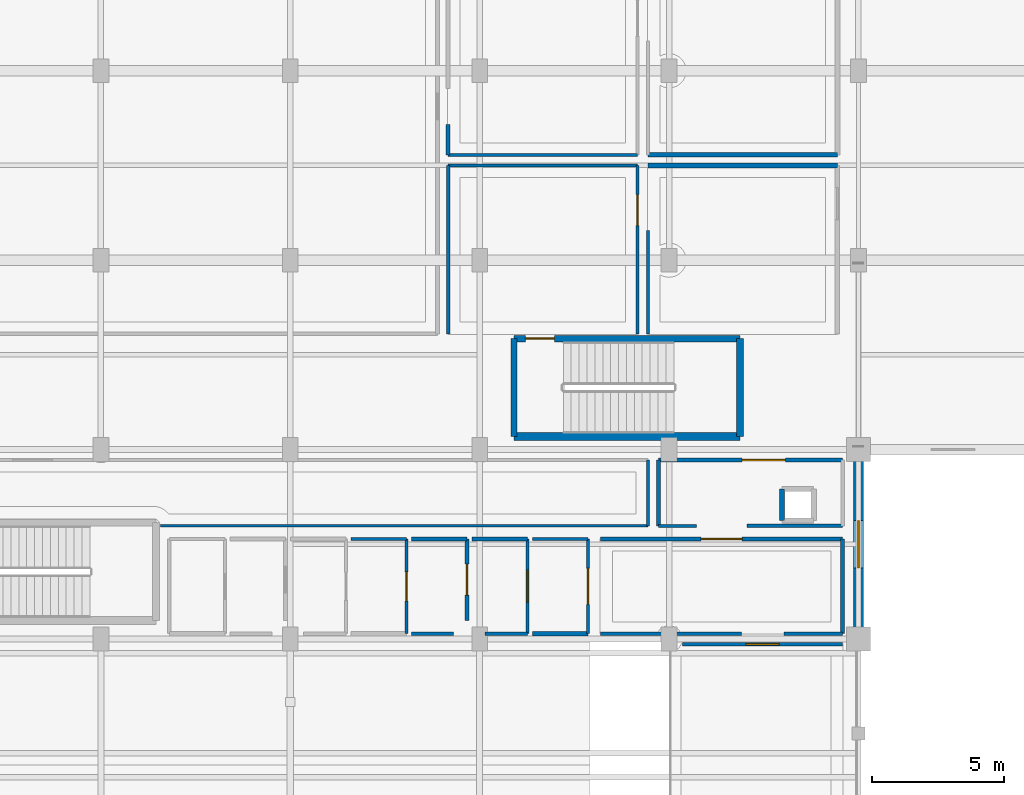
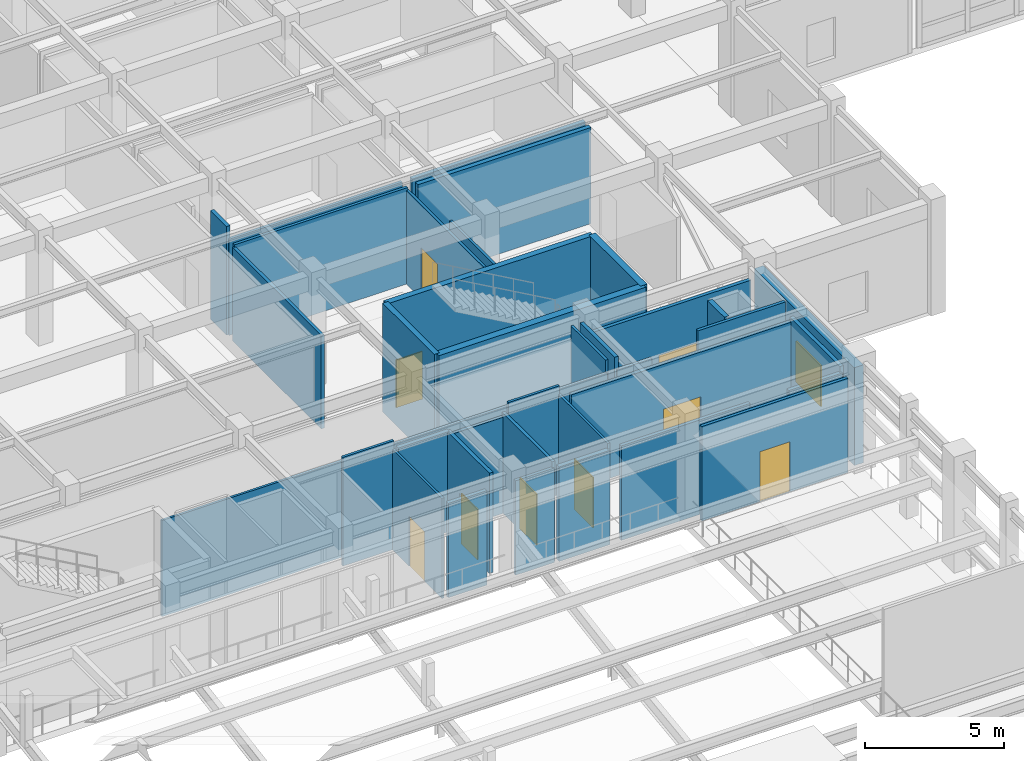
# One storey, part 87 of 117: 36 walls, 9 doors, 1 window, 10 openings.
"""IFC4 building model written with IfcOpenShell, lengths in metres."""

from ifc_helpers import new_model, si_unit, direction, frame, frame_2d, origin, place, context, subcontext, project, spatial, rectangle, extrude, material, layer, layer_set, type_object, element, fill, save


model = new_model("IFC4")

# Units and contexts
model_context = context("Model", 3, precision=1e-05, world=origin(), true_north=direction((0.0, 1.0)))
body_context = subcontext(model_context, "Body", "Model", "MODEL_VIEW")
ifc_project = project(units=[si_unit("LENGTHUNIT", "METRE"), si_unit("AREAUNIT", "SQUARE_METRE"), si_unit("VOLUMEUNIT", "CUBIC_METRE"), si_unit("PLANEANGLEUNIT", "RADIAN"), si_unit("MASSUNIT", "GRAM", prefix="KILO")], contexts=[model_context])

# Site, building, storey
site_placement = place(None, origin())
site = spatial("IfcSite", under=ifc_project, at=site_placement, CompositionType="ELEMENT")
building_placement = place(site_placement, origin())
building = spatial("IfcBuilding", under=site, at=building_placement, Name="Carrowvane Square Congress Hotel", CompositionType="ELEMENT")
storey_placement = place(building_placement, frame((0.0, 0.0, 5.39990234375)))
storey = spatial("IfcBuildingStorey", under=building, at=storey_placement, Name="L01", CompositionType="ELEMENT", Elevation=5.39990234375)

# Wall, opening, window
ifc_material_1 = material(Name="Portland limestone cladding", Category="masonry")
ifc_layer_1 = layer(ifc_material_1, 0.3798828125)
ifc_layer_set_1 = layer_set([ifc_layer_1], Name="Portland limestone cladding")
wall_type_1 = type_object("IfcWallType", Name="WL-EXT-LS380", PredefinedType="STANDARD", material=ifc_layer_set_1)
wall_1_placement = place(storey_placement, frame((62.0, 55.800048828125, 0.0), z_axis=(0.0, 0.0, 1.0), x_axis=(0.0, -1.0, 0.0)))
wall_1 = element("IfcWall", 1, at=wall_1_placement, inside=storey, type_object=wall_type_1, Name="L01 exterior facade wall 255", PredefinedType="STANDARD", context=body_context, shape_type="SweptSolid", body=[
    extrude(rectangle(XDim=7.199951171875, YDim=0.3798828125, at=frame_2d((3.60009765625, 0.0))), origin(), (0.0, 0.0, 1.0), 4.30517578125),
])
opening_1_placement = place(wall_1_placement, frame((2.699951171875, 0.0, 0.89990234375)))
opening_1 = element("IfcOpeningElement", 2, at=opening_1_placement, cuts=wall_1, Name="Opening W-05", PredefinedType="OPENING", context=body_context, shape_type="SweptSolid", body=[
    extrude(rectangle(XDim=1.800048828125, YDim=1.800048828125, at=frame_2d((0.89990234375, 0.89990234375))), frame((0.0, 0.199951171875, 0.0), z_axis=(0.0, -1.0, 0.0), x_axis=(1.0, 0.0, 0.0)), (0.0, 0.0, 1.0), 0.39990234375),
])
ifc_material_2 = material(Name="Double-glazed low-E glass", Category="glass")
window_type = type_object("IfcWindowType", Name="WIN-05", PartitioningType="SINGLE_PANEL", PredefinedType="WINDOW", material=ifc_material_2)
window_placement = place(opening_1_placement, origin())
window = element("IfcWindow", 3, at=window_placement, inside=storey, type_object=window_type, Name="L01 facade window 78", OverallHeight=1.800048828125, OverallWidth=1.800048828125, PartitioningType="SINGLE_PANEL", PredefinedType="WINDOW", context=body_context, shape_type="SweptSolid", body=[
    extrude(rectangle(XDim=1.800048828125, YDim=1.800048828125, at=frame_2d((0.89990234375, 0.89990234375))), frame((0.0, 0.030029296875, 0.0), z_axis=(0.0, -1.0, 0.0), x_axis=(1.0, 0.0, 0.0)), (0.0, 0.0, 1.0), 0.06005859375),
])
fill(opening_1, window)

# Wall, opening, door
ifc_material_3 = material(Name="Acoustic gypsum board", Category="gypsum")
ifc_layer_2 = layer(ifc_material_3, 0.155029296875)
ifc_layer_set_2 = layer_set([ifc_layer_2], Name="Acoustic gypsum board")
wall_type_2 = type_object("IfcWallType", Name="WL-FIR-155", PredefinedType="PARTITIONING", material=ifc_layer_set_2)
wall_2_placement = place(storey_placement, frame((47.1201171875, 52.39990234375, 0.0), z_axis=(0.0, 0.0, 1.0), x_axis=(0.0, -1.0, 0.0)))
wall_2 = element("IfcWall", 4, at=wall_2_placement, inside=storey, type_object=wall_type_2, Name="L01 Interpretation Booth 5 partition", PredefinedType="PARTITIONING", context=body_context, shape_type="SweptSolid", body=[
    extrude(rectangle(XDim=3.08984375, YDim=0.155029296875, at=frame_2d((1.544921875, 0.0))), origin(), (0.0, 0.0, 1.0), 4.406982421875),
])
opening_2_placement = place(wall_2_placement, frame((0.955078125, 0.0, 0.0)))
opening_2 = element("IfcOpeningElement", 5, at=opening_2_placement, cuts=wall_2, Name="Opening ID-23", PredefinedType="OPENING", context=body_context, shape_type="SweptSolid", body=[
    extrude(rectangle(XDim=1.179931640625, YDim=2.219970703125, at=frame_2d((0.58984375, 1.10986328125))), frame((0.0, 0.08740234375, 0.0), z_axis=(0.0, -1.0, 0.0), x_axis=(1.0, 0.0, 0.0)), (0.0, 0.0, 1.0), 0.175048828125),
])
ifc_material_4 = material(Name="European oak timber", Category="wood")
door_type_1 = type_object("IfcDoorType", Name="DR-INT-1180x2220", OperationType="NOTDEFINED", PredefinedType="DOOR", material=ifc_material_4)
door_1_placement = place(opening_2_placement, origin())
door_1 = element("IfcDoor", 6, at=door_1_placement, inside=storey, type_object=door_type_1, Name="L01 Interpretation Booth 5 entrance door", OperationType="SINGLE_SWING_RIGHT", OverallHeight=2.219970703125, OverallWidth=1.179931640625, PredefinedType="DOOR", context=body_context, shape_type="SweptSolid", body=[
    extrude(rectangle(XDim=1.179931640625, YDim=2.219970703125, at=frame_2d((0.58984375, 1.10986328125))), frame((0.0, 0.02490234375, 0.0), z_axis=(0.0, -1.0, 0.0), x_axis=(1.0, 0.0, 0.0)), (0.0, 0.0, 1.0), 0.050048828125),
])
fill(opening_2, door_1)

# Walls
wall_3_placement = place(storey_placement, frame((61.39990234375, 52.39990234375, 0.0), z_axis=(0.0, 0.0, 1.0), x_axis=(0.0, -1.0, 0.0)))
element("IfcWall", 7, at=wall_3_placement, inside=storey, type_object=wall_type_2, Name="L01 AV and Broadcast Control Room partition", PredefinedType="PARTITIONING", context=body_context, shape_type="SweptSolid", body=[
    extrude(rectangle(XDim=3.599853515625, YDim=0.155029296875, at=frame_2d((1.7998046875, 0.0))), origin(), (0.0, 0.0, 1.0), 4.406982421875),
])
wall_4_placement = place(storey_placement, frame((54.39990234375, 52.89990234375, 0.0), z_axis=(0.0, 0.0, 1.0), x_axis=(0.0, 1.0, 0.0)))
element("IfcWall", 8, at=wall_4_placement, inside=storey, type_object=wall_type_2, Name="L01 Circle Accessible WC partition", PredefinedType="PARTITIONING", context=body_context, shape_type="SweptSolid", body=[
    extrude(rectangle(XDim=2.5, YDim=0.155029296875, at=frame_2d((1.25, 0.0))), origin(), (0.0, 0.0, 1.0), 4.780029296875),
])
wall_5_placement = place(storey_placement, frame((46.39990234375, 67.0, 0.0), z_axis=(0.0, 0.0, 1.0), x_axis=(0.0, 1.0, 0.0)))
element("IfcWall", 9, at=wall_5_placement, inside=storey, type_object=wall_type_2, Name="L01 Thermal Treatment Suite 103 partition", PredefinedType="PARTITIONING", context=body_context, shape_type="SweptSolid", body=[
    extrude(rectangle(XDim=1.1650390625, YDim=0.155029296875, at=frame_2d((0.58251953125, 0.0))), origin(), (0.0, 0.0, 1.0), 4.780029296875),
])
ifc_material_5 = material(Name="Acoustic gypsum board", Category="gypsum")
ifc_layer_3 = layer(ifc_material_5, 0.169921875)
ifc_layer_set_3 = layer_set([ifc_layer_3], Name="Acoustic gypsum board")
wall_type_3 = type_object("IfcWallType", Name="WL-FIR-170", PredefinedType="PARTITIONING", material=ifc_layer_set_3)
wall_6_placement = place(storey_placement, frame((45.0, 52.39990234375, 0.0), z_axis=(0.0, 0.0, 1.0), x_axis=(1.0, 0.0, 0.0)))
element("IfcWall", 10, at=wall_6_placement, inside=storey, type_object=wall_type_3, Name="L01 Interpretation Booth 5 partition", PredefinedType="PARTITIONING", context=body_context, shape_type="SweptSolid", body=[
    extrude(rectangle(XDim=2.1201171875, YDim=0.169921875, at=frame_2d((1.06005859375, 0.0))), origin(), (0.0, 0.0, 1.0), 4.406982421875),
])

# Wall, opening, door
wall_7_placement = place(storey_placement, frame((52.199951171875, 52.39990234375, 0.0), z_axis=(0.0, 0.0, 1.0), x_axis=(1.0, 0.0, 0.0)))
wall_7 = element("IfcWall", 11, at=wall_7_placement, inside=storey, type_object=wall_type_3, Name="L01 AV and Broadcast Control Room partition", PredefinedType="PARTITIONING", context=body_context, shape_type="SweptSolid", body=[
    extrude(rectangle(XDim=9.199951171875, YDim=0.169921875, at=frame_2d((4.60009765625, 0.0))), origin(), (0.0, 0.0, 1.0), 4.228515625),
])
opening_3_placement = place(wall_7_placement, frame((3.820068359375, 0.0, 0.0)))
opening_3 = element("IfcOpeningElement", 12, at=opening_3_placement, cuts=wall_7, Name="Opening ID-26", PredefinedType="OPENING", context=body_context, shape_type="SweptSolid", body=[
    extrude(rectangle(XDim=1.56005859375, YDim=2.260009765625, at=frame_2d((0.780029296875, 1.1298828125))), frame((0.0, 0.094970703125, 0.0), z_axis=(0.0, -1.0, 0.0), x_axis=(1.0, 0.0, 0.0)), (0.0, 0.0, 1.0), 0.18994140625),
])
ifc_material_6 = material(Name="European oak timber", Category="wood")
door_type_2 = type_object("IfcDoorType", Name="DR-INT-1560x2260", OperationType="DOUBLE_DOOR_SINGLE_SWING", PredefinedType="DOOR", material=ifc_material_6)
door_2_placement = place(opening_3_placement, origin())
door_2 = element("IfcDoor", 13, at=door_2_placement, inside=storey, type_object=door_type_2, Name="L01 AV and Broadcast Control Room entrance door", OperationType="DOUBLE_DOOR_SINGLE_SWING", OverallHeight=2.260009765625, OverallWidth=1.56005859375, PredefinedType="DOOR", context=body_context, shape_type="SweptSolid", body=[
    extrude(rectangle(XDim=1.56005859375, YDim=2.260009765625, at=frame_2d((0.780029296875, 1.1298828125))), frame((0.0, 0.02490234375, 0.0), z_axis=(0.0, -1.0, 0.0), x_axis=(1.0, 0.0, 0.0)), (0.0, 0.0, 1.0), 0.050048828125),
])
fill(opening_3, door_2)

# Walls
wall_8_placement = place(storey_placement, frame((61.199951171875, 67.0, 0.0), z_axis=(0.0, 0.0, 1.0), x_axis=(-1.0, 0.0, 0.0)))
element("IfcWall", 14, at=wall_8_placement, inside=storey, type_object=wall_type_3, Name="L01 Thermal Treatment Suite 104 partition", PredefinedType="PARTITIONING", context=body_context, shape_type="SweptSolid", body=[
    extrude(rectangle(XDim=7.199951171875, YDim=0.169921875, at=frame_2d((3.60009765625, 0.0))), origin(), (0.0, 0.0, 1.0), 4.228515625),
])
ifc_material_7 = material(Name="Acoustic gypsum board", Category="gypsum")
ifc_layer_4 = layer(ifc_material_7, 0.18505859375)
ifc_layer_set_4 = layer_set([ifc_layer_4], Name="Acoustic gypsum board")
wall_type_4 = type_object("IfcWallType", Name="WL-FIR-185", PredefinedType="PARTITIONING", material=ifc_layer_set_4)
wall_9_placement = place(storey_placement, frame((51.719970703125, 48.800048828125, 0.0), z_axis=(0.0, 0.0, 1.0), x_axis=(-1.0, 0.0, 0.0)))
element("IfcWall", 15, at=wall_9_placement, inside=storey, type_object=wall_type_4, Name="L01 Interpretation Booth 7 partition", PredefinedType="PARTITIONING", context=body_context, shape_type="SweptSolid", body=[
    extrude(rectangle(XDim=2.119873046875, YDim=0.18505859375, at=frame_2d((1.06005859375, 0.0))), origin(), (0.0, 0.0, 1.0), 4.15283203125),
])
wall_10_placement = place(storey_placement, frame((54.0, 66.60009765625, 0.0), z_axis=(0.0, 0.0, 1.0), x_axis=(1.0, 0.0, 0.0)))
element("IfcWall", 16, at=wall_10_placement, inside=storey, type_object=wall_type_4, Name="L01 Thermal Treatment Suite 102 partition", PredefinedType="PARTITIONING", context=body_context, shape_type="SweptSolid", body=[
    extrude(rectangle(XDim=7.199951171875, YDim=0.18505859375, at=frame_2d((3.60009765625, 0.0))), origin(), (0.0, 0.0, 1.0), 4.228515625),
])
ifc_material_8 = material(Name="Standing-seam zinc cladding", Category="metal")
ifc_layer_5 = layer(ifc_material_8, 0.195068359375)
ifc_layer_set_5 = layer_set([ifc_layer_5], Name="Standing-seam zinc cladding")
wall_type_5 = type_object("IfcWallType", Name="WL-PAR-195", PredefinedType="PARAPET", material=ifc_layer_set_5)
wall_11_placement = place(storey_placement, frame((59.10009765625, 54.300048828125, 0.0), z_axis=(0.0, 0.0, 1.0), x_axis=(0.0, -1.0, 0.0)))
element("IfcWall", 17, at=wall_11_placement, inside=storey, type_object=wall_type_5, Name="L01 service riser RSR-V1 enclosure W", PredefinedType="PARAPET", context=body_context, shape_type="SweptSolid", body=[
    extrude(rectangle(XDim=1.199951171875, YDim=0.195068359375, at=frame_2d((0.60009765625, 0.0))), origin(), (0.0, 0.0, 1.0), 4.780029296875),
])

# Wall, opening, door
ifc_material_9 = material(Name="Acoustic gypsum board", Category="gypsum")
ifc_layer_6 = layer(ifc_material_9, 0.097900390625)
ifc_layer_set_6 = layer_set([ifc_layer_6], Name="Acoustic gypsum board")
wall_type_6 = type_object("IfcWallType", Name="WL-PRT-098", PredefinedType="PARTITIONING", material=ifc_layer_set_6)
wall_12_placement = place(storey_placement, frame((44.820068359375, 52.39990234375, 0.0), z_axis=(0.0, 0.0, 1.0), x_axis=(0.0, -1.0, 0.0)))
wall_12 = element("IfcWall", 18, at=wall_12_placement, inside=storey, type_object=wall_type_6, Name="L01 Interpretation Booth 4 partition", PredefinedType="PARTITIONING", context=body_context, shape_type="SweptSolid", body=[
    extrude(rectangle(XDim=3.599853515625, YDim=0.097900390625, at=frame_2d((1.7998046875, 0.0))), origin(), (0.0, 0.0, 1.0), 4.406982421875),
])
opening_4_placement = place(wall_12_placement, frame((1.25, 0.0, 0.0)))
opening_4 = element("IfcOpeningElement", 19, at=opening_4_placement, cuts=wall_12, Name="Opening ID-22", PredefinedType="OPENING", context=body_context, shape_type="SweptSolid", body=[
    extrude(rectangle(XDim=1.10009765625, YDim=2.179931640625, at=frame_2d((0.550048828125, 1.08984375))), frame((0.0, 0.058837890625, 0.0), z_axis=(0.0, -1.0, 0.0), x_axis=(1.0, 0.0, 0.0)), (0.0, 0.0, 1.0), 0.117919921875),
])
ifc_material_10 = material(Name="European oak timber", Category="wood")
door_type_3 = type_object("IfcDoorType", Name="DR-INT-1100x2180", OperationType="NOTDEFINED", PredefinedType="DOOR", material=ifc_material_10)
door_3_placement = place(opening_4_placement, origin())
door_3 = element("IfcDoor", 20, at=door_3_placement, inside=storey, type_object=door_type_3, Name="L01 Interpretation Booth 4 entrance door", OperationType="SINGLE_SWING_LEFT", OverallHeight=2.179931640625, OverallWidth=1.10009765625, PredefinedType="DOOR", context=body_context, shape_type="SweptSolid", body=[
    extrude(rectangle(XDim=1.10009765625, YDim=2.179931640625, at=frame_2d((0.550048828125, 1.08984375))), frame((0.0, 0.02490234375, 0.0), z_axis=(0.0, -1.0, 0.0), x_axis=(1.0, 0.0, 0.0)), (0.0, 0.0, 1.0), 0.050048828125),
])
fill(opening_4, door_3)

wall_13_placement = place(storey_placement, frame((51.719970703125, 52.39990234375, 0.0), z_axis=(0.0, 0.0, 1.0), x_axis=(0.0, -1.0, 0.0)))
wall_13 = element("IfcWall", 21, at=wall_13_placement, inside=storey, type_object=wall_type_6, Name="L01 Interpretation Booth 7 partition", PredefinedType="PARTITIONING", context=body_context, shape_type="SweptSolid", body=[
    extrude(rectangle(XDim=3.599853515625, YDim=0.097900390625, at=frame_2d((1.7998046875, 0.0))), origin(), (0.0, 0.0, 1.0), 4.406982421875),
])
opening_5_placement = place(wall_13_placement, frame((1.1201171875, 0.0, 0.0)))
opening_5 = element("IfcOpeningElement", 22, at=opening_5_placement, cuts=wall_13, Name="Opening ID-25", PredefinedType="OPENING", context=body_context, shape_type="SweptSolid", body=[
    extrude(rectangle(XDim=1.360107421875, YDim=2.219970703125, at=frame_2d((0.68017578125, 1.10986328125))), frame((0.0, 0.058837890625, 0.0), z_axis=(0.0, -1.0, 0.0), x_axis=(1.0, 0.0, 0.0)), (0.0, 0.0, 1.0), 0.117919921875),
])
ifc_material_11 = material(Name="European oak timber", Category="wood")
door_type_4 = type_object("IfcDoorType", Name="DR-INT-1360x2220", OperationType="DOUBLE_DOOR_SINGLE_SWING", PredefinedType="DOOR", material=ifc_material_11)
door_4_placement = place(opening_5_placement, origin())
door_4 = element("IfcDoor", 23, at=door_4_placement, inside=storey, type_object=door_type_4, Name="L01 Interpretation Booth 7 entrance door", OperationType="DOUBLE_DOOR_SINGLE_SWING", OverallHeight=2.219970703125, OverallWidth=1.360107421875, PredefinedType="DOOR", context=body_context, shape_type="SweptSolid", body=[
    extrude(rectangle(XDim=1.360107421875, YDim=2.219970703125, at=frame_2d((0.68017578125, 1.10986328125))), frame((0.0, 0.02490234375, 0.0), z_axis=(0.0, -1.0, 0.0), x_axis=(1.0, 0.0, 0.0)), (0.0, 0.0, 1.0), 0.050048828125),
])
fill(opening_5, door_4)

# Walls
wall_14_placement = place(storey_placement, frame((54.0, 52.89990234375, 0.0), z_axis=(0.0, 0.0, 1.0), x_axis=(-1.0, 0.0, 0.0)))
element("IfcWall", 24, at=wall_14_placement, inside=storey, type_object=wall_type_6, Name="L01 Upper Congress Circle Foyer partition", PredefinedType="PARTITIONING", context=body_context, shape_type="SweptSolid", body=[
    extrude(rectangle(XDim=18.530029296875, YDim=0.097900390625, at=frame_2d((9.26513671875, 0.0))), origin(), (0.0, 0.0, 1.0), 4.228515625),
])
wall_15_placement = place(storey_placement, frame((54.0, 60.199951171875, 0.0), z_axis=(0.0, 0.0, 1.0), x_axis=(0.0, 1.0, 0.0)))
element("IfcWall", 25, at=wall_15_placement, inside=storey, type_object=wall_type_6, Name="L01 Thermal Treatment Suite 102 partition", PredefinedType="PARTITIONING", context=body_context, shape_type="SweptSolid", body=[
    extrude(rectangle(XDim=3.929931640625, YDim=0.097900390625, at=frame_2d((1.96484375, 0.0))), origin(), (0.0, 0.0, 1.0), 4.114990234375),
])
ifc_material_12 = material(Name="Acoustic gypsum board", Category="gypsum")
ifc_layer_7 = layer(ifc_material_12, 0.10791015625)
ifc_layer_set_7 = layer_set([ifc_layer_7], Name="Acoustic gypsum board")
wall_type_7 = type_object("IfcWallType", Name="WL-PRT-108", PredefinedType="PARTITIONING", material=ifc_layer_set_7)
wall_16_placement = place(storey_placement, frame((42.699951171875, 52.39990234375, 0.0), z_axis=(0.0, 0.0, 1.0), x_axis=(1.0, 0.0, 0.0)))
element("IfcWall", 26, at=wall_16_placement, inside=storey, type_object=wall_type_7, Name="L01 Interpretation Booth 4 partition", PredefinedType="PARTITIONING", context=body_context, shape_type="SweptSolid", body=[
    extrude(rectangle(XDim=2.1201171875, YDim=0.10791015625, at=frame_2d((1.06005859375, 0.0))), origin(), (0.0, 0.0, 1.0), 4.780029296875),
])
wall_17_placement = place(storey_placement, frame((49.60009765625, 52.39990234375, 0.0), z_axis=(0.0, 0.0, 1.0), x_axis=(1.0, 0.0, 0.0)))
element("IfcWall", 27, at=wall_17_placement, inside=storey, type_object=wall_type_7, Name="L01 Interpretation Booth 7 partition", PredefinedType="PARTITIONING", context=body_context, shape_type="SweptSolid", body=[
    extrude(rectangle(XDim=2.119873046875, YDim=0.10791015625, at=frame_2d((1.06005859375, 0.0))), origin(), (0.0, 0.0, 1.0), 4.780029296875),
])
wall_18_placement = place(storey_placement, frame((54.0, 55.39990234375, 0.0), z_axis=(0.0, 0.0, 1.0), x_axis=(0.0, -1.0, 0.0)))
element("IfcWall", 28, at=wall_18_placement, inside=storey, type_object=wall_type_7, Name="L01 Upper Congress Circle Foyer partition", PredefinedType="PARTITIONING", context=body_context, shape_type="SweptSolid", body=[
    extrude(rectangle(XDim=2.5, YDim=0.10791015625, at=frame_2d((1.25, 0.0))), origin(), (0.0, 0.0, 1.0), 4.780029296875),
])

# Wall, opening, door
wall_19_placement = place(storey_placement, frame((53.60009765625, 66.60009765625, 0.0), z_axis=(0.0, 0.0, 1.0), x_axis=(0.0, -1.0, 0.0)))
wall_19 = element("IfcWall", 29, at=wall_19_placement, inside=storey, type_object=wall_type_7, Name="L01 Thermal Treatment Suite 101 partition", PredefinedType="PARTITIONING", context=body_context, shape_type="SweptSolid", body=[
    extrude(rectangle(XDim=6.400146484375, YDim=0.10791015625, at=frame_2d((3.2001953125, 0.0))), origin(), (0.0, 0.0, 1.0), 4.114990234375),
])
opening_6_placement = place(wall_19_placement, frame((1.110107421875, 0.0, 0.0)))
opening_6 = element("IfcOpeningElement", 30, at=opening_6_placement, cuts=wall_19, Name="Opening ID-23", PredefinedType="OPENING", context=body_context, shape_type="SweptSolid", body=[
    extrude(rectangle(XDim=1.179931640625, YDim=2.219970703125, at=frame_2d((0.58984375, 1.10986328125))), frame((0.0, 0.06396484375, 0.0), z_axis=(0.0, -1.0, 0.0), x_axis=(1.0, 0.0, 0.0)), (0.0, 0.0, 1.0), 0.1279296875),
])
door_5_placement = place(opening_6_placement, origin())
door_5 = element("IfcDoor", 31, at=door_5_placement, inside=storey, type_object=door_type_1, Name="L01 Thermal Treatment Suite 101 entrance door", OperationType="SINGLE_SWING_RIGHT", OverallHeight=2.219970703125, OverallWidth=1.179931640625, PredefinedType="DOOR", context=body_context, shape_type="SweptSolid", body=[
    extrude(rectangle(XDim=1.179931640625, YDim=2.219970703125, at=frame_2d((0.58984375, 1.10986328125))), frame((0.0, 0.02490234375, 0.0), z_axis=(0.0, -1.0, 0.0), x_axis=(1.0, 0.0, 0.0)), (0.0, 0.0, 1.0), 0.050048828125),
])
fill(opening_6, door_5)

# Walls
ifc_material_13 = material(Name="Acoustic gypsum board", Category="gypsum")
ifc_layer_8 = layer(ifc_material_13, 0.117919921875)
ifc_layer_set_8 = layer_set([ifc_layer_8], Name="Acoustic gypsum board")
wall_type_8 = type_object("IfcWallType", Name="WL-PRT-118", PredefinedType="PARTITIONING", material=ifc_layer_set_8)
wall_20_placement = place(storey_placement, frame((49.419921875, 48.800048828125, 0.0), z_axis=(0.0, 0.0, 1.0), x_axis=(-1.0, 0.0, 0.0)))
element("IfcWall", 32, at=wall_20_placement, inside=storey, type_object=wall_type_8, Name="L01 Interpretation Booth 6 partition", PredefinedType="PARTITIONING", context=body_context, shape_type="SweptSolid", body=[
    extrude(rectangle(XDim=1.60986328125, YDim=0.117919921875, at=frame_2d((0.804931640625, 0.0))), origin(), (0.0, 0.0, 1.0), 4.15283203125),
])
wall_21_placement = place(storey_placement, frame((55.840087890625, 52.89990234375, 0.0), z_axis=(0.0, 0.0, 1.0), x_axis=(-1.0, 0.0, 0.0)))
element("IfcWall", 33, at=wall_21_placement, inside=storey, type_object=wall_type_8, Name="L01 Circle Accessible WC partition", PredefinedType="PARTITIONING", context=body_context, shape_type="SweptSolid", body=[
    extrude(rectangle(XDim=1.440185546875, YDim=0.117919921875, at=frame_2d((0.72021484375, 0.0))), origin(), (0.0, 0.0, 1.0), 4.228515625),
])
for number, where, z_axis, x_axis, name in (
    (34, (46.39990234375, 66.60009765625, 0.0), (0.0, 0.0, 1.0), (1.0, 0.0, 0.0), "L01 Thermal Treatment Suite 101 partition"),
    (35, (53.60009765625, 67.0, 0.0), (0.0, 0.0, 1.0), (-1.0, 0.0, 0.0), "L01 Thermal Treatment Suite 103 partition"),
):
    element("IfcWall", number, at=place(storey_placement, frame(where, z_axis=z_axis, x_axis=x_axis)), inside=storey, type_object=wall_type_8, Name=name, PredefinedType="PARTITIONING", context=body_context, shape_type="SweptSolid", body=[
        extrude(rectangle(XDim=7.2001953125, YDim=0.117919921875, at=frame_2d((3.60009765625, 0.0))), origin(), (0.0, 0.0, 1.0), 4.228515625),
    ])

# Wall, opening, door
ifc_material_14 = material(Name="Acoustic gypsum board", Category="gypsum")
ifc_layer_9 = layer(ifc_material_14, 0.1279296875)
ifc_layer_set_9 = layer_set([ifc_layer_9], Name="Acoustic gypsum board")
wall_type_9 = type_object("IfcWallType", Name="WL-PRT-128", PredefinedType="PARTITIONING", material=ifc_layer_set_9)
wall_22_placement = place(storey_placement, frame((55.320068359375, 48.39990234375, 0.0), z_axis=(0.0, 0.0, 1.0), x_axis=(1.0, 0.0, 0.0)))
wall_22 = element("IfcWall", 36, at=wall_22_placement, inside=storey, type_object=wall_type_9, Name="L01 Plenary Congress Upper Circle Seating partition", PredefinedType="PARTITIONING", context=body_context, shape_type="SweptSolid", body=[
    extrude(rectangle(XDim=6.079833984375, YDim=0.1279296875, at=frame_2d((3.0400390625, 0.0))), origin(), (0.0, 0.0, 1.0), 4.15283203125),
])
opening_7_placement = place(wall_22_placement, frame((2.4150390625, 0.0, 0.0)))
opening_7 = element("IfcOpeningElement", 37, at=opening_7_placement, cuts=wall_22, Name="Opening ID-10", PredefinedType="OPENING", context=body_context, shape_type="SweptSolid", body=[
    extrude(rectangle(XDim=1.25, YDim=2.199951171875, at=frame_2d((0.625, 1.10009765625))), frame((0.0, 0.073974609375, 0.0), z_axis=(0.0, -1.0, 0.0), x_axis=(1.0, 0.0, 0.0)), (0.0, 0.0, 1.0), 0.14794921875),
])
ifc_material_15 = material(Name="European oak timber", Category="wood")
door_type_5 = type_object("IfcDoorType", Name="DR-INT-1250x2200", OperationType="NOTDEFINED", PredefinedType="DOOR", material=ifc_material_15)
door_6_placement = place(opening_7_placement, origin())
door_6 = element("IfcDoor", 38, at=door_6_placement, inside=storey, type_object=door_type_5, Name="L01 Plenary Congress Upper Circle Seating entrance door", OperationType="SINGLE_SWING_LEFT", OverallHeight=2.199951171875, OverallWidth=1.25, PredefinedType="DOOR", context=body_context, shape_type="SweptSolid", body=[
    extrude(rectangle(XDim=1.25, YDim=2.199951171875, at=frame_2d((0.625, 1.10009765625))), frame((0.0, 0.02490234375, 0.0), z_axis=(0.0, -1.0, 0.0), x_axis=(1.0, 0.0, 0.0)), (0.0, 0.0, 1.0), 0.050048828125),
])
fill(opening_7, door_6)

wall_23_placement = place(storey_placement, frame((49.419921875, 52.39990234375, 0.0), z_axis=(0.0, 0.0, 1.0), x_axis=(0.0, -1.0, 0.0)))
wall_23 = element("IfcWall", 39, at=wall_23_placement, inside=storey, type_object=wall_type_9, Name="L01 Interpretation Booth 6 partition", PredefinedType="PARTITIONING", context=body_context, shape_type="SweptSolid", body=[
    extrude(rectangle(XDim=3.599853515625, YDim=0.1279296875, at=frame_2d((1.7998046875, 0.0))), origin(), (0.0, 0.0, 1.0), 4.406982421875),
])
opening_8_placement = place(wall_23_placement, frame((1.18994140625, 0.0, 0.0)))
opening_8 = element("IfcOpeningElement", 40, at=opening_8_placement, cuts=wall_23, Name="Opening ID-24", PredefinedType="OPENING", context=body_context, shape_type="SweptSolid", body=[
    extrude(rectangle(XDim=1.219970703125, YDim=2.239990234375, at=frame_2d((0.60986328125, 1.1201171875))), frame((0.0, 0.073974609375, 0.0), z_axis=(0.0, -1.0, 0.0), x_axis=(1.0, 0.0, 0.0)), (0.0, 0.0, 1.0), 0.14794921875),
])
ifc_material_16 = material(Name="European oak timber", Category="wood")
door_type_6 = type_object("IfcDoorType", Name="DR-INT-1220x2240", OperationType="NOTDEFINED", PredefinedType="DOOR", material=ifc_material_16)
door_7_placement = place(opening_8_placement, origin())
door_7 = element("IfcDoor", 41, at=door_7_placement, inside=storey, type_object=door_type_6, Name="L01 Interpretation Booth 6 entrance door", OperationType="SINGLE_SWING_LEFT", OverallHeight=2.239990234375, OverallWidth=1.219970703125, PredefinedType="DOOR", context=body_context, shape_type="SweptSolid", body=[
    extrude(rectangle(XDim=1.219970703125, YDim=2.239990234375, at=frame_2d((0.60986328125, 1.1201171875))), frame((0.0, 0.02490234375, 0.0), z_axis=(0.0, -1.0, 0.0), x_axis=(1.0, 0.0, 0.0)), (0.0, 0.0, 1.0), 0.050048828125),
])
fill(opening_8, door_7)

# Walls
wall_24_placement = place(storey_placement, frame((61.39990234375, 52.89990234375, 0.0), z_axis=(0.0, 0.0, 1.0), x_axis=(-1.0, 0.0, 0.0)))
element("IfcWall", 42, at=wall_24_placement, inside=storey, type_object=wall_type_9, Name="L01 Circle Accessible WC partition", PredefinedType="PARTITIONING", context=body_context, shape_type="SweptSolid", body=[
    extrude(rectangle(XDim=3.639892578125, YDim=0.1279296875, at=frame_2d((1.81982421875, 0.0))), origin(), (0.0, 0.0, 1.0), 4.780029296875),
])
wall_25_placement = place(storey_placement, frame((46.39990234375, 60.199951171875, 0.0), z_axis=(0.0, 0.0, 1.0), x_axis=(0.0, 1.0, 0.0)))
element("IfcWall", 43, at=wall_25_placement, inside=storey, type_object=wall_type_9, Name="L01 Thermal Treatment Suite 101 partition", PredefinedType="PARTITIONING", context=body_context, shape_type="SweptSolid", body=[
    extrude(rectangle(XDim=6.400146484375, YDim=0.1279296875, at=frame_2d((3.2001953125, 0.0))), origin(), (0.0, 0.0, 1.0), 4.114990234375),
])
ifc_material_17 = material(Name="Acoustic gypsum board", Category="gypsum")
ifc_layer_10 = layer(ifc_material_17, 0.137939453125)
ifc_layer_set_10 = layer_set([ifc_layer_10], Name="Acoustic gypsum board")
wall_type_10 = type_object("IfcWallType", Name="WL-PRT-138", PredefinedType="PARTITIONING", material=ifc_layer_set_10)
wall_26_placement = place(storey_placement, frame((47.300048828125, 52.39990234375, 0.0), z_axis=(0.0, 0.0, 1.0), x_axis=(1.0, 0.0, 0.0)))
element("IfcWall", 44, at=wall_26_placement, inside=storey, type_object=wall_type_10, Name="L01 Interpretation Booth 6 partition", PredefinedType="PARTITIONING", context=body_context, shape_type="SweptSolid", body=[
    extrude(rectangle(XDim=2.119873046875, YDim=0.137939453125, at=frame_2d((1.06005859375, 0.0))), origin(), (0.0, 0.0, 1.0), 4.228515625),
])
wall_27_placement = place(storey_placement, frame((57.554931640625, 48.800048828125, 0.0), z_axis=(0.0, 0.0, 1.0), x_axis=(-1.0, 0.0, 0.0)))
element("IfcWall", 45, at=wall_27_placement, inside=storey, type_object=wall_type_10, Name="L01 AV and Broadcast Control Room partition", PredefinedType="PARTITIONING", context=body_context, shape_type="SweptSolid", body=[
    extrude(rectangle(XDim=5.35498046875, YDim=0.137939453125, at=frame_2d((2.677490234375, 0.0))), origin(), (0.0, 0.0, 1.0), 4.15283203125),
])
ifc_material_18 = material(Name="Acoustic gypsum board", Category="gypsum")
ifc_layer_11 = layer(ifc_material_18, 0.14794921875)
ifc_layer_set_11 = layer_set([ifc_layer_11], Name="Acoustic gypsum board")
wall_type_11 = type_object("IfcWallType", Name="WL-PRT-148", PredefinedType="PARTITIONING", material=ifc_layer_set_11)
wall_28_placement = place(storey_placement, frame((46.610107421875, 48.800048828125, 0.0), z_axis=(0.0, 0.0, 1.0), x_axis=(-1.0, 0.0, 0.0)))
element("IfcWall", 46, at=wall_28_placement, inside=storey, type_object=wall_type_11, Name="L01 Interpretation Booth 5 partition", PredefinedType="PARTITIONING", context=body_context, shape_type="SweptSolid", body=[
    extrude(rectangle(XDim=1.610107421875, YDim=0.14794921875, at=frame_2d((0.80517578125, 0.0))), origin(), (0.0, 0.0, 1.0), 4.15283203125),
])
wall_29_placement = place(storey_placement, frame((61.39990234375, 48.800048828125, 0.0), z_axis=(0.0, 0.0, 1.0), x_axis=(-1.0, 0.0, 0.0)))
element("IfcWall", 47, at=wall_29_placement, inside=storey, type_object=wall_type_11, Name="L01 AV and Broadcast Control Room partition", PredefinedType="PARTITIONING", context=body_context, shape_type="SweptSolid", body=[
    extrude(rectangle(XDim=2.23486328125, YDim=0.14794921875, at=frame_2d((1.117431640625, 0.0))), origin(), (0.0, 0.0, 1.0), 4.15283203125),
])

# Wall, opening, door
wall_30_placement = place(storey_placement, frame((54.39990234375, 55.39990234375, 0.0), z_axis=(0.0, 0.0, 1.0), x_axis=(1.0, 0.0, 0.0)))
wall_30 = element("IfcWall", 48, at=wall_30_placement, inside=storey, type_object=wall_type_11, Name="L01 Circle Accessible WC partition", PredefinedType="PARTITIONING", context=body_context, shape_type="SweptSolid", body=[
    extrude(rectangle(XDim=7.0, YDim=0.14794921875, at=frame_2d((3.5, 0.0))), origin(), (0.0, 0.0, 1.0), 4.228515625),
])
opening_9_placement = place(wall_30_placement, frame((3.175048828125, 0.0, 0.0)))
opening_9 = element("IfcOpeningElement", 49, at=opening_9_placement, cuts=wall_30, Name="Opening ID-12", PredefinedType="OPENING", context=body_context, shape_type="SweptSolid", body=[
    extrude(rectangle(XDim=1.64990234375, YDim=2.25, at=frame_2d((0.824951171875, 1.125))), frame((0.0, 0.083984375, 0.0), z_axis=(0.0, -1.0, 0.0), x_axis=(1.0, 0.0, 0.0)), (0.0, 0.0, 1.0), 0.16796875),
])
ifc_material_19 = material(Name="European oak timber", Category="wood")
door_type_7 = type_object("IfcDoorType", Name="DR-INT-1650x2250", OperationType="DOUBLE_DOOR_SINGLE_SWING", PredefinedType="DOOR", material=ifc_material_19)
door_8_placement = place(opening_9_placement, origin())
door_8 = element("IfcDoor", 50, at=door_8_placement, inside=storey, type_object=door_type_7, Name="L01 Circle Accessible WC entrance door", OperationType="DOUBLE_DOOR_SINGLE_SWING", OverallHeight=2.25, OverallWidth=1.64990234375, PredefinedType="DOOR", context=body_context, shape_type="SweptSolid", body=[
    extrude(rectangle(XDim=1.64990234375, YDim=2.25, at=frame_2d((0.824951171875, 1.125))), frame((0.0, 0.02490234375, 0.0), z_axis=(0.0, -1.0, 0.0), x_axis=(1.0, 0.0, 0.0)), (0.0, 0.0, 1.0), 0.050048828125),
])
fill(opening_9, door_8)

# Wall
ifc_material_20 = material(Name="Concrete C40/50", Category="concrete")
ifc_layer_12 = layer(ifc_material_20, 0.22509765625)
ifc_layer_set_12 = layer_set([ifc_layer_12], Name="Concrete C40/50")
wall_type_12 = type_object("IfcWallType", Name="WL-SHR-225", PredefinedType="SHEAR", material=ifc_layer_set_12)
wall_31_placement = place(storey_placement, frame((48.89990234375, 60.02001953125, 0.0), z_axis=(0.0, 0.0, 1.0), x_axis=(0.0, -1.0, 0.0)))
element("IfcWall", 51, at=wall_31_placement, inside=storey, type_object=wall_type_12, Name="L01 ST7 core wall west", PredefinedType="SHEAR", context=body_context, shape_type="SweptSolid", body=[
    extrude(rectangle(XDim=3.719970703125, YDim=0.22509765625, at=frame_2d((1.85986328125, 0.0))), origin(), (0.0, 0.0, 1.0), 4.780029296875),
])

# Wall, opening, door
ifc_material_21 = material(Name="Concrete C40/50", Category="concrete")
ifc_layer_13 = layer(ifc_material_21, 0.25)
ifc_layer_set_13 = layer_set([ifc_layer_13], Name="Concrete C40/50")
wall_type_13 = type_object("IfcWallType", Name="WL-SHR-250", PredefinedType="SHEAR", material=ifc_layer_set_13)
wall_32_placement = place(storey_placement, frame((57.5, 60.02001953125, 0.0), z_axis=(0.0, 0.0, 1.0), x_axis=(-1.0, 0.0, 0.0)))
wall_32 = element("IfcWall", 52, at=wall_32_placement, inside=storey, type_object=wall_type_13, Name="L01 ST7 core wall north", PredefinedType="SHEAR", context=body_context, shape_type="SweptSolid", body=[
    extrude(rectangle(XDim=8.60009765625, YDim=0.25, at=frame_2d((4.300048828125, 0.0))), origin(), (0.0, 0.0, 1.0), 4.780029296875),
])
opening_10_placement = place(wall_32_placement, frame((7.06005859375, 0.0, 0.0)))
opening_10 = element("IfcOpeningElement", 53, at=opening_10_placement, cuts=wall_32, Name="Opening FD-01", PredefinedType="OPENING", context=body_context, shape_type="SweptSolid", body=[
    extrude(rectangle(XDim=1.10009765625, YDim=2.10009765625, at=frame_2d((0.550048828125, 1.050048828125))), frame((0.0, 0.135009765625, 0.0), z_axis=(0.0, -1.0, 0.0), x_axis=(1.0, 0.0, 0.0)), (0.0, 0.0, 1.0), 0.27001953125),
])
ifc_material_22 = material(Name="European oak timber", Category="wood")
door_type_8 = type_object("IfcDoorType", Name="DR-FD60-1100x2100", OperationType="NOTDEFINED", PredefinedType="DOOR", material=ifc_material_22)
door_9_placement = place(opening_10_placement, origin())
door_9 = element("IfcDoor", 54, at=door_9_placement, inside=storey, type_object=door_type_8, Name="L01 ST7 fire door", OperationType="SINGLE_SWING_RIGHT", OverallHeight=2.10009765625, OverallWidth=1.10009765625, PredefinedType="DOOR", context=body_context, shape_type="SweptSolid", body=[
    extrude(rectangle(XDim=1.10009765625, YDim=2.10009765625, at=frame_2d((0.550048828125, 1.050048828125))), frame((0.0, 0.02490234375, 0.0), z_axis=(0.0, -1.0, 0.0), x_axis=(1.0, 0.0, 0.0)), (0.0, 0.0, 1.0), 0.050048828125),
])
fill(opening_10, door_9)

# Walls
ifc_material_23 = material(Name="Concrete C40/50", Category="concrete")
ifc_layer_14 = layer(ifc_material_23, 0.27490234375)
ifc_layer_set_14 = layer_set([ifc_layer_14], Name="Concrete C40/50")
wall_type_14 = type_object("IfcWallType", Name="WL-SHR-275", PredefinedType="SHEAR", material=ifc_layer_set_14)
wall_33_placement = place(storey_placement, frame((57.5, 56.300048828125, 0.0), z_axis=(0.0, 0.0, 1.0), x_axis=(0.0, 1.0, 0.0)))
element("IfcWall", 55, at=wall_33_placement, inside=storey, type_object=wall_type_14, Name="L01 ST7 core wall east", PredefinedType="SHEAR", context=body_context, shape_type="SweptSolid", body=[
    extrude(rectangle(XDim=3.719970703125, YDim=0.27490234375, at=frame_2d((1.85986328125, 0.0))), origin(), (0.0, 0.0, 1.0), 4.780029296875),
])
ifc_material_24 = material(Name="Concrete C40/50", Category="concrete")
ifc_layer_15 = layer(ifc_material_24, 0.300048828125)
ifc_layer_set_15 = layer_set([ifc_layer_15], Name="Concrete C40/50")
wall_type_15 = type_object("IfcWallType", Name="WL-SHR-300", PredefinedType="SHEAR", material=ifc_layer_set_15)
wall_34_placement = place(storey_placement, frame((48.89990234375, 56.300048828125, 0.0), z_axis=(0.0, 0.0, 1.0), x_axis=(1.0, 0.0, 0.0)))
element("IfcWall", 56, at=wall_34_placement, inside=storey, type_object=wall_type_15, Name="L01 ST7 core wall south", PredefinedType="SHEAR", context=body_context, shape_type="SweptSolid", body=[
    extrude(rectangle(XDim=8.60009765625, YDim=0.300048828125, at=frame_2d((4.300048828125, 0.0))), origin(), (0.0, 0.0, 1.0), 4.780029296875),
])

save(model, "model.ifc")
